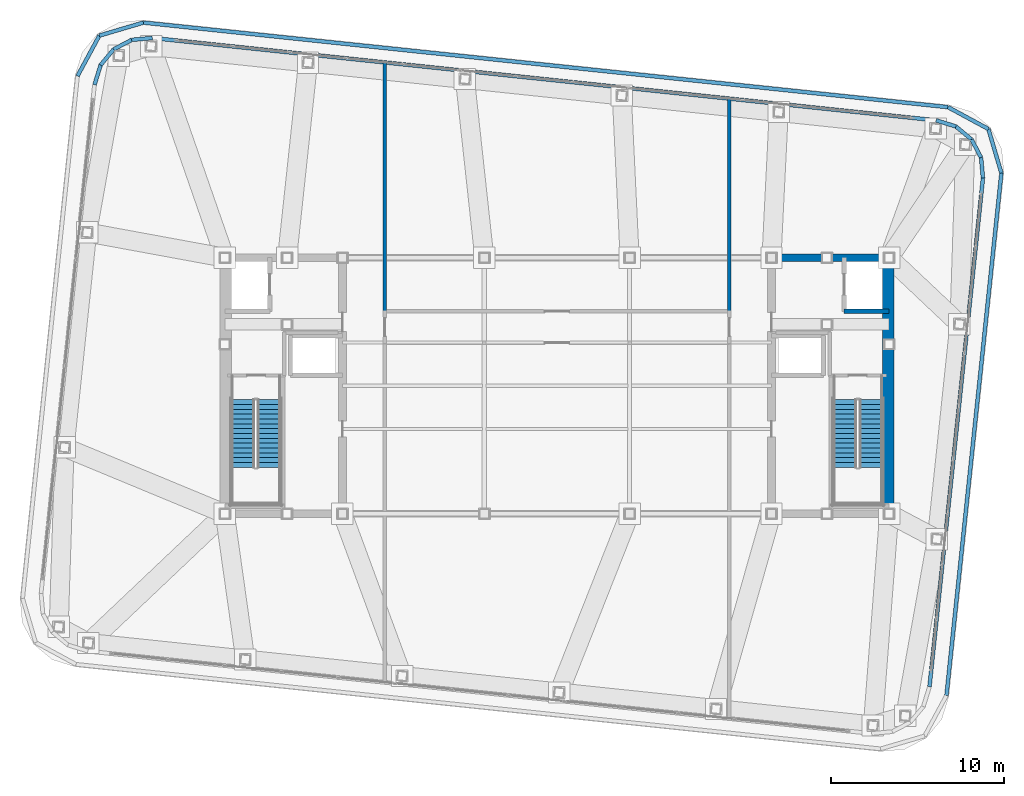
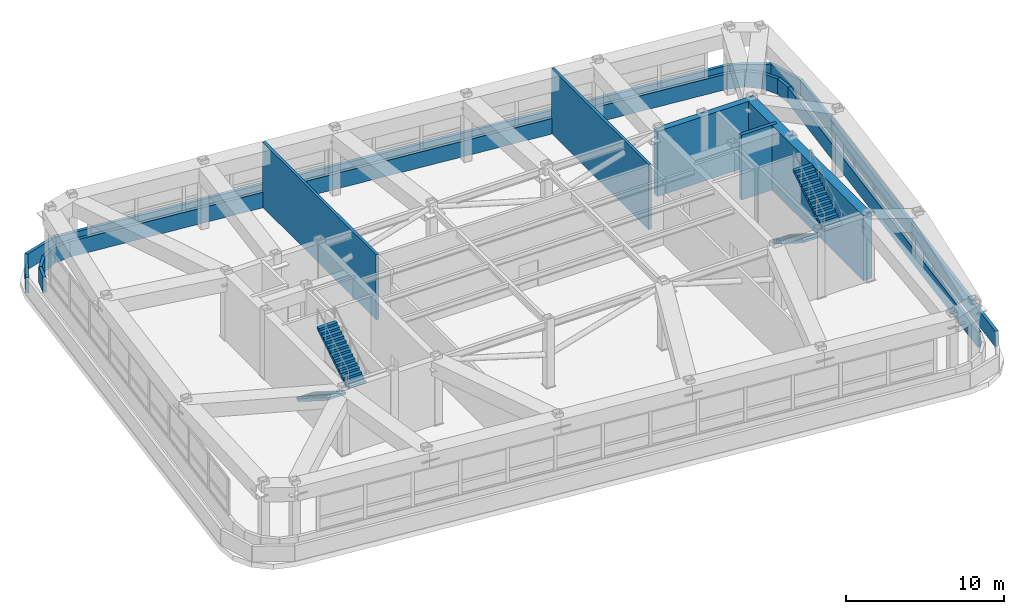
# One storey, part 20 of 22: 21 walls, 4 stair flights, 2 elements without a shape of their own.
"""IFC4 building model written with IfcOpenShell, lengths in metres."""

from ifc_helpers import new_model, si_unit, direction, frame, frame_2d, origin, place, context, subcontext, project, spatial, polyline, rectangle, outline, extrude, material, layer, layer_set, type_object, element, aggregate, save


model = new_model("IFC4")

# Units and contexts
model_context = context("Model", 3, precision=1e-05, world=origin(), true_north=direction((0.0, 1.0)))
body_context = subcontext(model_context, "Body", "Model", "MODEL_VIEW")
ifc_project = project(units=[si_unit("LENGTHUNIT", "METRE"), si_unit("AREAUNIT", "SQUARE_METRE"), si_unit("VOLUMEUNIT", "CUBIC_METRE"), si_unit("PLANEANGLEUNIT", "RADIAN"), si_unit("MASSUNIT", "GRAM", prefix="KILO")], contexts=[model_context])

# Site, building, storey
site_placement = place(None, origin())
site = spatial("IfcSite", under=ifc_project, at=site_placement, CompositionType="ELEMENT")
building_placement = place(site_placement, origin())
building = spatial("IfcBuilding", under=site, at=building_placement, Name="Voryun Gate Residences", CompositionType="ELEMENT")
storey_placement = place(building_placement, frame((0.0, 0.0, 310.699951171875)))
storey = spatial("IfcBuildingStorey", under=building, at=storey_placement, Name="L77", CompositionType="ELEMENT", Elevation=310.699951171875)

# Walls
ifc_material_1 = material(Name="Concrete C50/60", Category="concrete")
ifc_layer_1 = layer(ifc_material_1, 0.449951171875, Name="CW_CORE_450")
ifc_layer_set_1 = layer_set([ifc_layer_1], Name="Concrete C50/60")
wall_type_1 = type_object("IfcWallType", Name="CW_CORE_450", PredefinedType="SHEAR", material=ifc_layer_set_1)
wall_1_placement = place(storey_placement, frame((12.175048828125, 7.39990234375, 0.0), z_axis=(0.0, 0.0, 1.0), x_axis=(1.0, 0.0, 0.0)))
element("IfcWall", 1, at=wall_1_placement, inside=storey, type_object=wall_type_1, Name="L77 Core shear wall CW-L77-EN", PredefinedType="SHEAR", context=body_context, shape_type="SweptSolid", body=[
    extrude(rectangle(XDim=7.25, YDim=0.449951171875, at=frame_2d((3.625, 0.0))), origin(), (0.0, 0.0, 1.0), 5.025146484375),
])
ifc_material_2 = material(Name="Concrete C60/75", Category="concrete")
ifc_layer_2 = layer(ifc_material_2, 0.64990234375, Name="CW_CORE_650")
ifc_layer_set_2 = layer_set([ifc_layer_2], Name="Concrete C60/75")
wall_type_2 = type_object("IfcWallType", Name="CW_CORE_650", PredefinedType="SHEAR", material=ifc_layer_set_2)
wall_2_placement = place(storey_placement, frame((19.14501953125, -7.39990234375, 0.0), z_axis=(0.0, 0.0, 1.0), x_axis=(0.0, 1.0, 0.0)))
element("IfcWall", 2, at=wall_2_placement, inside=storey, type_object=wall_type_2, Name="L77 Core shear wall CW-L77-EE", PredefinedType="SHEAR", context=body_context, shape_type="SweptSolid", body=[
    extrude(rectangle(XDim=14.7998046875, YDim=0.64990234375, at=frame_2d((7.39990234375, 0.0))), origin(), (0.0, 0.0, 1.0), 5.025146484375),
])
ifc_material_3 = material(Name="Concrete C40/50", Category="concrete")
ifc_layer_3 = layer(ifc_material_3, 0.199951171875, Name="W_FF_LOBBY_200")
ifc_layer_set_3 = layer_set([ifc_layer_3], Name="Concrete C40/50")
wall_type_3 = type_object("IfcWallType", Name="W_FF_LOBBY_200", PredefinedType="PARTITIONING", material=ifc_layer_set_3)
wall_3_placement = place(storey_placement, frame((-9.9599609375, 4.280029296875, 0.0), z_axis=(0.0, 0.0, 1.0), x_axis=(0.0, 1.0, 0.0)))
element("IfcWall", 3, at=wall_3_placement, inside=storey, type_object=wall_type_3, Name="Partition wall WP-L77-CW2", PredefinedType="PARTITIONING", context=body_context, shape_type="SweptSolid", body=[
    extrude(rectangle(XDim=14.3916015625, YDim=0.199951171875, at=frame_2d((7.19580078125, 0.0))), origin(), (0.0, 0.0, 1.0), 5.025146484375),
])
wall_4_placement = place(storey_placement, frame((9.9599609375, 4.280029296875, 0.0), z_axis=(0.0, 0.0, 1.0), x_axis=(0.0, 1.0, 0.0)))
element("IfcWall", 4, at=wall_4_placement, inside=storey, type_object=wall_type_3, Name="Partition wall WP-L77-CE2", PredefinedType="PARTITIONING", context=body_context, shape_type="SweptSolid", body=[
    extrude(rectangle(XDim=12.2978515625, YDim=0.199951171875, at=frame_2d((6.14892578125, 0.0))), origin(), (0.0, 0.0, 1.0), 5.025146484375),
])
ifc_material_4 = material(Name="Precast concrete C40/50", Category="concrete")
ifc_layer_4 = layer(ifc_material_4, 0.219970703125, Name="W_PARAPET_CURB_220")
ifc_layer_set_4 = layer_set([ifc_layer_4], Name="Precast concrete C40/50")
wall_type_4 = type_object("IfcWallType", Name="W_PARAPET_CURB_220", PredefinedType="PARAPET", material=ifc_layer_set_4)
wall_5_placement = place(storey_placement, frame((-26.7333984375, 17.400146484375, 0.0), z_axis=(0.0, 0.0, 1.0), x_axis=(0.296611239858, 0.95499831015, 0.0)))
element("IfcWall", 5, at=wall_5_placement, inside=storey, type_object=wall_type_4, Name="Exterior wall WCRN-L77-07", PredefinedType="PARAPET", context=body_context, shape_type="SweptSolid", body=[
    extrude(rectangle(XDim=1.195068359375, YDim=0.219970703125, at=frame_2d((0.59765625, 0.0))), origin(), (0.0, 0.0, 1.0), 1.199951171875),
])
wall_6_placement = place(storey_placement, frame((-26.37890625, 18.54150390625, 0.0), z_axis=(0.0, 0.0, 1.0), x_axis=(0.639408628756, 0.768867092203, 0.0)))
element("IfcWall", 6, at=wall_6_placement, inside=storey, type_object=wall_type_4, Name="Exterior wall WCRN-L77-08", PredefinedType="PARAPET", context=body_context, shape_type="SweptSolid", body=[
    extrude(rectangle(XDim=1.1767578125, YDim=0.219970703125, at=frame_2d((0.58837890625, 0.0))), origin(), (0.0, 0.0, 1.0), 1.199951171875),
])
wall_7_placement = place(storey_placement, frame((-25.62646484375, 19.4462890625, 0.0), z_axis=(0.0, 0.0, 1.0), x_axis=(0.884985697578, 0.465618207421, 0.0)))
element("IfcWall", 7, at=wall_7_placement, inside=storey, type_object=wall_type_4, Name="Exterior wall WCRN-L77-09", PredefinedType="PARAPET", context=body_context, shape_type="SweptSolid", body=[
    extrude(rectangle(XDim=1.17724609375, YDim=0.219970703125, at=frame_2d((0.588623046875, 0.0))), origin(), (0.0, 0.0, 1.0), 1.199951171875),
])
wall_8_placement = place(storey_placement, frame((-24.584716796875, 19.994384765625, 0.0), z_axis=(0.0, 0.0, 1.0), x_axis=(0.995802277791, 0.091530451467, 0.0)))
element("IfcWall", 8, at=wall_8_placement, inside=storey, type_object=wall_type_4, Name="Exterior wall WCRN-L77-10", PredefinedType="PARAPET", context=body_context, shape_type="SweptSolid", body=[
    extrude(rectangle(XDim=1.195068359375, YDim=0.219970703125, at=frame_2d((0.59765625, 0.0))), origin(), (0.0, 0.0, 1.0), 1.199951171875),
])
wall_9_placement = place(storey_placement, frame((-23.394775390625, 20.103759765625, 0.0), z_axis=(0.0, 0.0, 1.0), x_axis=(0.994522116558, -0.104526358762, 0.0)))
element("IfcWall", 9, at=wall_9_placement, inside=storey, type_object=wall_type_4, Name="Exterior wall WCRN-L77-11", PredefinedType="PARAPET", context=body_context, shape_type="SweptSolid", body=[
    extrude(rectangle(XDim=45.564453125, YDim=0.219970703125, at=frame_2d((22.7822265625, 0.0))), origin(), (0.0, 0.0, 1.0), 1.199951171875),
])
wall_10_placement = place(storey_placement, frame((21.920166015625, 15.341064453125, 0.0), z_axis=(0.0, 0.0, 1.0), x_axis=(0.95499831015, -0.296611239858, 0.0)))
element("IfcWall", 10, at=wall_10_placement, inside=storey, type_object=wall_type_4, Name="Exterior wall WCRN-L77-12", PredefinedType="PARAPET", context=body_context, shape_type="SweptSolid", body=[
    extrude(rectangle(XDim=1.195068359375, YDim=0.219970703125, at=frame_2d((0.59765625, 0.0))), origin(), (0.0, 0.0, 1.0), 1.199951171875),
])
for number, where, z_axis, x_axis, name in (
    (11, (23.0615234375, 14.986572265625, 0.0), (0.0, 0.0, 1.0), (0.768765101718, -0.639531248947, 0.0), "Exterior wall WCRN-L77-13"),
    (12, (23.96630859375, 14.23388671875, 0.0), (0.0, 0.0, 1.0), (0.465703684269, -0.884940720308, 0.0), "Exterior wall WCRN-L77-14"),
):
    element("IfcWall", number, at=place(storey_placement, frame(where, z_axis=z_axis, x_axis=x_axis)), inside=storey, type_object=wall_type_4, Name=name, PredefinedType="PARAPET", context=body_context, shape_type="SweptSolid", body=[
        extrude(rectangle(XDim=1.177001953125, YDim=0.219970703125, at=frame_2d((0.58837890625, 0.0))), origin(), (0.0, 0.0, 1.0), 1.199951171875),
    ])
wall_11_placement = place(storey_placement, frame((24.514404296875, 13.1923828125, 0.0), z_axis=(0.0, 0.0, 1.0), x_axis=(0.091530451467, -0.995802277791, 0.0)))
element("IfcWall", 13, at=wall_11_placement, inside=storey, type_object=wall_type_4, Name="Exterior wall WCRN-L77-15", PredefinedType="PARAPET", context=body_context, shape_type="SweptSolid", body=[
    extrude(rectangle(XDim=1.195068359375, YDim=0.219970703125, at=frame_2d((0.59765625, 0.0))), origin(), (0.0, 0.0, 1.0), 1.199951171875),
])
wall_12_placement = place(storey_placement, frame((24.623779296875, 12.00244140625, 0.0), z_axis=(0.0, 0.0, 1.0), x_axis=(-0.104528313262, -0.994521911134, 0.0)))
element("IfcWall", 14, at=wall_12_placement, inside=storey, type_object=wall_type_4, Name="Exterior wall WCRN-L77-16", PredefinedType="PARAPET", context=body_context, shape_type="SweptSolid", body=[
    extrude(rectangle(XDim=29.564453125, YDim=0.219970703125, at=frame_2d((14.7822265625, 0.0))), origin(), (0.0, 0.0, 1.0), 1.199951171875),
])
for number, where, z_axis, x_axis, name in (
    (15, (-27.715576171875, 17.90869140625, 0.0), (0.0, 0.0, 1.0), (0.476128986614, 0.879375453436, 0.0), "Exterior wall WCRN-L77-EAVE-05"),
    (16, (-26.452392578125, 20.24169921875, 0.0), (0.0, 0.0, 1.0), (0.959155694222, 0.282878691743, 0.0), "Exterior wall WCRN-L77-EAVE-06"),
):
    element("IfcWall", number, at=place(storey_placement, frame(where, z_axis=z_axis, x_axis=x_axis)), inside=storey, type_object=wall_type_4, Name=name, PredefinedType="PARAPET", context=body_context, shape_type="SweptSolid", body=[
        extrude(rectangle(XDim=2.653076171875, YDim=0.219970703125, at=frame_2d((1.32666015625, 0.0))), origin(), (0.0, 0.0, 1.0), 1.199951171875),
    ])
wall_13_placement = place(storey_placement, frame((-23.90771484375, 20.9921875, 0.0), z_axis=(0.0, 0.0, 1.0), x_axis=(0.994522315485, -0.10452446605, 0.0)))
element("IfcWall", 17, at=wall_13_placement, inside=storey, type_object=wall_type_4, Name="Exterior wall WCRN-L77-EAVE-07", PredefinedType="PARAPET", context=body_context, shape_type="SweptSolid", body=[
    extrude(rectangle(XDim=46.7705078125, YDim=0.219970703125, at=frame_2d((23.38525390625, 0.0))), origin(), (0.0, 0.0, 1.0), 1.199951171875),
])
wall_14_placement = place(storey_placement, frame((22.606689453125, 16.103515625, 0.0), z_axis=(0.0, 0.0, 1.0), x_axis=(0.879316052963, -0.476238678607, 0.0)))
element("IfcWall", 18, at=wall_14_placement, inside=storey, type_object=wall_type_4, Name="Exterior wall WCRN-L77-EAVE-08", PredefinedType="PARAPET", context=body_context, shape_type="SweptSolid", body=[
    extrude(rectangle(XDim=2.65283203125, YDim=0.219970703125, at=frame_2d((1.326416015625, 0.0))), origin(), (0.0, 0.0, 1.0), 1.199951171875),
])
wall_15_placement = place(storey_placement, frame((24.939453125, 14.840087890625, 0.0), z_axis=(0.0, 0.0, 1.0), x_axis=(0.282963347721, -0.959130723023, 0.0)))
element("IfcWall", 19, at=wall_15_placement, inside=storey, type_object=wall_type_4, Name="Exterior wall WCRN-L77-EAVE-09", PredefinedType="PARAPET", context=body_context, shape_type="SweptSolid", body=[
    extrude(rectangle(XDim=2.653076171875, YDim=0.219970703125, at=frame_2d((1.32666015625, 0.0))), origin(), (0.0, 0.0, 1.0), 1.199951171875),
])
wall_16_placement = place(storey_placement, frame((25.690185546875, 12.29541015625, 0.0), z_axis=(0.0, 0.0, 1.0), x_axis=(-0.104527862416, -0.99452195852, 0.0)))
element("IfcWall", 20, at=wall_16_placement, inside=storey, type_object=wall_type_4, Name="Exterior wall WCRN-L77-EAVE-10", PredefinedType="PARAPET", context=body_context, shape_type="SweptSolid", body=[
    extrude(rectangle(XDim=30.370361328125, YDim=0.219970703125, at=frame_2d((15.18505859375, 0.0))), origin(), (0.0, 0.0, 1.0), 1.199951171875),
])
ifc_material_5 = material(Name="Concrete C50/60", Category="concrete")
ifc_layer_5 = layer(ifc_material_5, 0.25, Name="W_SHAFT_RC250")
ifc_layer_set_5 = layer_set([ifc_layer_5], Name="Concrete C50/60")
wall_type_5 = type_object("IfcWallType", Name="W_SHAFT_RC250", PredefinedType="SOLIDWALL", material=ifc_layer_set_5)
wall_17_placement = place(storey_placement, frame((16.60009765625, 4.300048828125, 0.0), z_axis=(0.0, 0.0, 1.0), x_axis=(1.0, 0.0, 0.0)))
element("IfcWall", 21, at=wall_17_placement, inside=storey, type_object=wall_type_5, Name="Lift shaft wall WSH-L77-EL-FF-E1-S", PredefinedType="SOLIDWALL", context=body_context, shape_type="SweptSolid", body=[
    extrude(rectangle(XDim=2.599853515625, YDim=0.25, at=frame_2d((1.2998046875, 0.0))), origin(), (0.0, 0.0, 1.0), 5.025146484375),
])

# Stair, stair flights
ifc_material_6 = material(Name="Concrete C40/50", Category="concrete")
stair_type = type_object("IfcStairType", Name="STR_CORE_DOGLEG_1350", PredefinedType="HALF_TURN_STAIR", material=ifc_material_6)
stair_1_placement = place(storey_placement, origin())
stair_1 = element("IfcStair", 22, at=stair_1_placement, inside=storey, type_object=stair_type, Name="L77 Special Escape Stair ST-W1", PredefinedType="HALF_TURN_STAIR")
ifc_material_7 = material(Name="Concrete C40/50", Category="concrete")
stair_flight_type = type_object("IfcStairFlightType", Name="FLT_CORE_1350", PredefinedType="STRAIGHT", material=ifc_material_7)
stair_flight_1_placement = place(storey_placement, frame((-18.14990234375, -0.800048828125, 0.0), z_axis=(0.0, 0.0, 1.0), x_axis=(0.0, -1.0, 0.0)))
stair_flight_1 = element("IfcStairFlight", 23, at=stair_flight_1_placement, type_object=stair_flight_type, Name="ST-W1 flight 1", NumberOfRisers=15, NumberOfTreads=14, PredefinedType="STRAIGHT", RiserHeight=0.176666667, TreadLength=0.28, context=body_context, shape_type="SweptSolid", body=[
    extrude(outline(polyline([(0.0, 0.0), (0.0, 0.1767578125), (0.280029296875, 0.1767578125), (0.280029296875, 0.353271484375), (0.56005859375, 0.353271484375), (0.56005859375, 0.530029296875), (0.840087890625, 0.530029296875), (0.840087890625, 0.706787109375), (1.1201171875, 0.706787109375), (1.1201171875, 0.88330078125), (1.39990234375, 0.88330078125), (1.39990234375, 1.06005859375), (1.679931640625, 1.06005859375), (1.679931640625, 1.236572265625), (1.9599609375, 1.236572265625), (1.9599609375, 1.413330078125), (2.239990234375, 1.413330078125), (2.239990234375, 1.590087890625), (2.52001953125, 1.590087890625), (2.52001953125, 1.7666015625), (2.800048828125, 1.7666015625), (2.800048828125, 1.943359375), (3.080078125, 1.943359375), (3.080078125, 2.1201171875), (3.360107421875, 2.1201171875), (3.360107421875, 2.296630859375), (3.639892578125, 2.296630859375), (3.639892578125, 2.473388671875), (3.919921875, 2.473388671875), (3.919921875, 2.64990234375), (3.919921875, 2.296142578125), (0.281005859375, 0.0), (0.0, 0.0)])), frame((0.0, 0.675048828125, 0.0), z_axis=(0.0, -1.0, 0.0), x_axis=(1.0, 0.0, 0.0)), (0.0, 0.0, 1.0), 1.35009765625),
])
stair_flight_2_placement = place(storey_placement, frame((-16.64990234375, -4.719970703125, 2.650146484375), z_axis=(0.0, 0.0, 1.0), x_axis=(0.0, 1.0, 0.0)))
stair_flight_2 = element("IfcStairFlight", 24, at=stair_flight_2_placement, type_object=stair_flight_type, Name="ST-W1 flight 2", NumberOfRisers=15, NumberOfTreads=14, PredefinedType="STRAIGHT", RiserHeight=0.176666667, TreadLength=0.28, context=body_context, shape_type="SweptSolid", body=[
    extrude(outline(polyline([(0.0, 0.0), (0.0, 0.1767578125), (0.280029296875, 0.1767578125), (0.280029296875, 0.353271484375), (0.56005859375, 0.353271484375), (0.56005859375, 0.530029296875), (0.840087890625, 0.530029296875), (0.840087890625, 0.706787109375), (1.1201171875, 0.706787109375), (1.1201171875, 0.88330078125), (1.39990234375, 0.88330078125), (1.39990234375, 1.06005859375), (1.679931640625, 1.06005859375), (1.679931640625, 1.236572265625), (1.9599609375, 1.236572265625), (1.9599609375, 1.413330078125), (2.239990234375, 1.413330078125), (2.239990234375, 1.590087890625), (2.52001953125, 1.590087890625), (2.52001953125, 1.7666015625), (2.800048828125, 1.7666015625), (2.800048828125, 1.943359375), (3.080078125, 1.943359375), (3.080078125, 2.1201171875), (3.360107421875, 2.1201171875), (3.360107421875, 2.296630859375), (3.639892578125, 2.296630859375), (3.639892578125, 2.473388671875), (3.919921875, 2.473388671875), (3.919921875, 2.64990234375), (3.919921875, 2.296142578125), (0.281005859375, 0.0), (0.0, 0.0)])), frame((0.0, 0.675048828125, 0.0), z_axis=(0.0, -1.0, 0.0), x_axis=(1.0, 0.0, 0.0)), (0.0, 0.0, 1.0), 1.35009765625),
])
aggregate(stair_1, [stair_flight_1, stair_flight_2])

stair_2_placement = place(storey_placement, origin())
stair_2 = element("IfcStair", 25, at=stair_2_placement, inside=storey, type_object=stair_type, Name="L77 Special Escape Stair ST-E1", PredefinedType="HALF_TURN_STAIR")
stair_flight_3_placement = place(storey_placement, frame((16.64990234375, -0.800048828125, 0.0), z_axis=(0.0, 0.0, 1.0), x_axis=(0.0, -1.0, 0.0)))
stair_flight_3 = element("IfcStairFlight", 26, at=stair_flight_3_placement, type_object=stair_flight_type, Name="ST-E1 flight 1", NumberOfRisers=15, NumberOfTreads=14, PredefinedType="STRAIGHT", RiserHeight=0.176666667, TreadLength=0.28, context=body_context, shape_type="SweptSolid", body=[
    extrude(outline(polyline([(0.0, 0.0), (0.0, 0.1767578125), (0.280029296875, 0.1767578125), (0.280029296875, 0.353271484375), (0.56005859375, 0.353271484375), (0.56005859375, 0.530029296875), (0.840087890625, 0.530029296875), (0.840087890625, 0.706787109375), (1.1201171875, 0.706787109375), (1.1201171875, 0.88330078125), (1.39990234375, 0.88330078125), (1.39990234375, 1.06005859375), (1.679931640625, 1.06005859375), (1.679931640625, 1.236572265625), (1.9599609375, 1.236572265625), (1.9599609375, 1.413330078125), (2.239990234375, 1.413330078125), (2.239990234375, 1.590087890625), (2.52001953125, 1.590087890625), (2.52001953125, 1.7666015625), (2.800048828125, 1.7666015625), (2.800048828125, 1.943359375), (3.080078125, 1.943359375), (3.080078125, 2.1201171875), (3.360107421875, 2.1201171875), (3.360107421875, 2.296630859375), (3.639892578125, 2.296630859375), (3.639892578125, 2.473388671875), (3.919921875, 2.473388671875), (3.919921875, 2.64990234375), (3.919921875, 2.296142578125), (0.281005859375, 0.0), (0.0, 0.0)])), frame((0.0, 0.675048828125, 0.0), z_axis=(0.0, -1.0, 0.0), x_axis=(1.0, 0.0, 0.0)), (0.0, 0.0, 1.0), 1.35009765625),
])
stair_flight_4_placement = place(storey_placement, frame((18.14990234375, -4.719970703125, 2.650146484375), z_axis=(0.0, 0.0, 1.0), x_axis=(0.0, 1.0, 0.0)))
stair_flight_4 = element("IfcStairFlight", 27, at=stair_flight_4_placement, type_object=stair_flight_type, Name="ST-E1 flight 2", NumberOfRisers=15, NumberOfTreads=14, PredefinedType="STRAIGHT", RiserHeight=0.176666667, TreadLength=0.28, context=body_context, shape_type="SweptSolid", body=[
    extrude(outline(polyline([(0.0, 0.0), (0.0, 0.1767578125), (0.280029296875, 0.1767578125), (0.280029296875, 0.353271484375), (0.56005859375, 0.353271484375), (0.56005859375, 0.530029296875), (0.840087890625, 0.530029296875), (0.840087890625, 0.706787109375), (1.1201171875, 0.706787109375), (1.1201171875, 0.88330078125), (1.39990234375, 0.88330078125), (1.39990234375, 1.06005859375), (1.679931640625, 1.06005859375), (1.679931640625, 1.236572265625), (1.9599609375, 1.236572265625), (1.9599609375, 1.413330078125), (2.239990234375, 1.413330078125), (2.239990234375, 1.590087890625), (2.52001953125, 1.590087890625), (2.52001953125, 1.7666015625), (2.800048828125, 1.7666015625), (2.800048828125, 1.943359375), (3.080078125, 1.943359375), (3.080078125, 2.1201171875), (3.360107421875, 2.1201171875), (3.360107421875, 2.296630859375), (3.639892578125, 2.296630859375), (3.639892578125, 2.473388671875), (3.919921875, 2.473388671875), (3.919921875, 2.64990234375), (3.919921875, 2.296142578125), (0.281005859375, 0.0), (0.0, 0.0)])), frame((0.0, 0.675048828125, 0.0), z_axis=(0.0, -1.0, 0.0), x_axis=(1.0, 0.0, 0.0)), (0.0, 0.0, 1.0), 1.35009765625),
])
aggregate(stair_2, [stair_flight_3, stair_flight_4])

save(model, "model.ifc")
